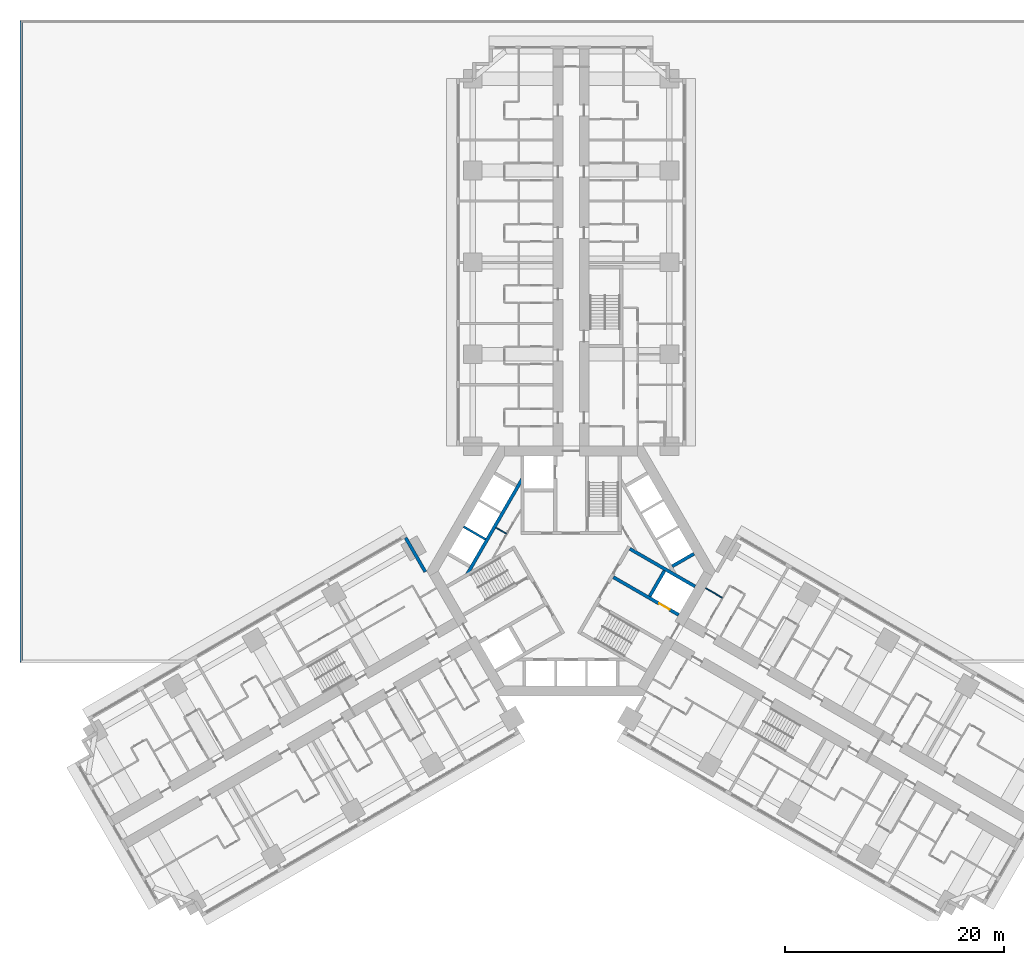
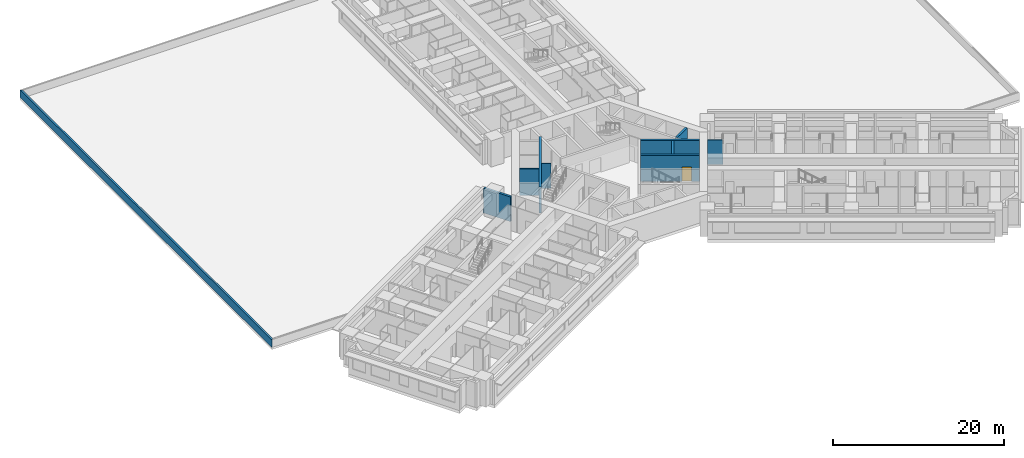
# One storey, part 7 of 18: 10 walls, 1 door, 1 opening.
"""IFC4 building model written with IfcOpenShell, lengths in metres."""

from ifc_helpers import new_model, si_unit, direction, frame, frame_2d, origin, place, context, subcontext, project, spatial, polyline, rectangle, outline, extrude, material, layer, layer_set, type_object, element, fill, save


model = new_model("IFC4")

# Units and contexts
model_context = context("Model", 3, precision=1e-05, world=origin(), true_north=direction((0.0, 1.0)))
body_context = subcontext(model_context, "Body", "Model", "MODEL_VIEW")
ifc_project = project(units=[si_unit("LENGTHUNIT", "METRE"), si_unit("AREAUNIT", "SQUARE_METRE"), si_unit("VOLUMEUNIT", "CUBIC_METRE"), si_unit("PLANEANGLEUNIT", "RADIAN"), si_unit("MASSUNIT", "GRAM", prefix="KILO")], contexts=[model_context])

# Site, building, storey
site_placement = place(None, origin())
site = spatial("IfcSite", under=ifc_project, at=site_placement, CompositionType="ELEMENT")
building_placement = place(site_placement, origin())
building = spatial("IfcBuilding", under=site, at=building_placement, Name="Impinga Residences", CompositionType="ELEMENT")
storey_placement = place(building_placement, frame((0.0, 0.0, 26.0)))
storey = spatial("IfcBuildingStorey", under=building, at=storey_placement, Name="L05", CompositionType="ELEMENT", Elevation=26.0)

# Walls
ifc_material_1 = material(Name="Concrete blockwork", Category="masonry")
ifc_layer_1 = layer(ifc_material_1, 0.10009765625)
ifc_layer_set_1 = layer_set([ifc_layer_1], Name="CP1 core room partition, blockwork 100")
wall_type_1 = type_object("IfcWallType", Name="CP1 core room partition, blockwork 100", PredefinedType="PARTITIONING", material=ifc_layer_set_1)
wall_1_placement = place(storey_placement, frame((-5.916259765625, 3.415771484375, 0.0), z_axis=(0.0, 0.0, 1.0), x_axis=(-0.866008176907, 0.50002983664, 0.0)))
element("IfcWall", 1, at=wall_1_placement, inside=storey, type_object=wall_type_1, Name="Core room partition, blockwork L05:CORE:high:FS", PredefinedType="PARTITIONING", context=body_context, shape_type="SweptSolid", body=[
    extrude(rectangle(XDim=1.10009765625, YDim=0.10009765625, at=frame_2d((0.550048828125, 0.0))), origin(), (0.0, 0.0, 1.0), 3.530029296875),
])
ifc_material_2 = material(Name="Terracotta rainscreen on blockwork", Category="masonry")
ifc_layer_2 = layer(ifc_material_2, 0.300048828125)
ifc_layer_set_2 = layer_set([ifc_layer_2], Name="EW1 external wall, terracotta rainscreen on blockwork 300")
wall_type_2 = type_object("IfcWallType", Name="EW1 external wall, terracotta rainscreen on blockwork 300", PredefinedType="SOLIDWALL", material=ifc_layer_set_2)
wall_2_placement = place(storey_placement, frame((-15.1298828125, 3.042724609375, 0.0), z_axis=(0.0, 0.0, 1.0), x_axis=(0.500012057535, -0.866018442252, 0.0)))
element("IfcWall", 2, at=wall_2_placement, inside=storey, type_object=wall_type_2, Name="External wall EW1 L05", PredefinedType="SOLIDWALL", context=body_context, shape_type="SweptSolid", body=[
    extrude(rectangle(XDim=3.60009765625, YDim=0.300048828125, at=frame_2d((1.800048828125, 0.0))), origin(), (0.0, 0.0, 1.0), 3.530029296875),
])
ifc_material_3 = material(Name="Gypsum board on steel studs", Category="steel")
ifc_layer_3 = layer(ifc_material_3, 0.10009765625)
ifc_layer_set_3 = layer_set([ifc_layer_3], Name="Gypsum board on steel studs")
wall_type_3 = type_object("IfcWallType", Name="IP1 partition 100", PredefinedType="PARTITIONING", material=ifc_layer_set_3)
wall_3_placement = place(storey_placement, frame((12.300048828125, -1.558837890625, 0.0), z_axis=(0.0, 0.0, 1.0), x_axis=(0.866047807691, -0.499961193289, 0.0)))
element("IfcWall", 3, at=wall_3_placement, inside=storey, type_object=wall_type_3, Name="Partition L05-EA1:DIV0", PredefinedType="PARTITIONING", context=body_context, shape_type="SweptSolid", body=[
    extrude(rectangle(XDim=1.800048828125, YDim=0.10009765625, at=frame_2d((0.89990234375, 0.0))), origin(), (0.0, 0.0, 1.0), 3.530029296875),
])
ifc_material_4 = material(Name="Concrete C60/75", Category="concrete")
ifc_layer_4 = layer(ifc_material_4, 0.25)
ifc_layer_set_4 = layer_set([ifc_layer_4], Name="Concrete C60/75")
wall_type_4 = type_object("IfcWallType", Name="PA1 roof parapet 250", PredefinedType="PARAPET", material=ifc_layer_set_4)
wall_4_placement = place(storey_placement, origin())
element("IfcWall", 4, at=wall_4_placement, inside=storey, type_object=wall_type_4, Name="Parapet PA1 L05", PredefinedType="PARAPET", context=body_context, shape_type="SweptSolid", body=[
    extrude(outline(polyline([(-50.39990234375, -8.39990234375), (-50.39990234375, 50.39990234375), (-50.14990234375, 50.14990234375), (-50.14990234375, -8.14990234375), (-50.39990234375, -8.39990234375)])), origin(), (0.0, 0.0, 1.0), 1.10009765625),
])

# Wall, opening, door
ifc_material_5 = material(Name="Concrete C70/85", Category="concrete")
ifc_layer_5 = layer(ifc_material_5, 0.300048828125)
ifc_layer_set_5 = layer_set([ifc_layer_5], Name="Concrete C70/85")
wall_type_5 = type_object("IfcWallType", Name="SW5 core inner wall, stairs, shafts and lobbies 300", PredefinedType="SHEAR", material=ifc_layer_set_5)
wall_5_placement = place(storey_placement, frame((3.86865234375, -0.559326171875, 0.0), z_axis=(0.0, 0.0, 1.0), x_axis=(0.86602711848, -0.499997030048, 0.0)))
wall_5 = element("IfcWall", 5, at=wall_5_placement, inside=storey, type_object=wall_type_5, Name="Core wall SW5 E:FF-IN L05", PredefinedType="SHEAR", context=body_context, shape_type="SweptSolid", body=[
    extrude(rectangle(XDim=6.9013671875, YDim=0.300048828125, at=frame_2d((3.45068359375, 0.0))), origin(), (0.0, 0.0, 1.0), 3.75),
])
opening_placement = place(wall_5_placement, frame((4.85009765625, 0.0, 0.0)))
opening = element("IfcOpeningElement", 6, at=opening_placement, cuts=wall_5, Name="Opening LD2", PredefinedType="OPENING", context=body_context, shape_type="SweptSolid", body=[
    extrude(rectangle(XDim=1.10009765625, YDim=2.10009765625, at=frame_2d((0.550048828125, 1.050048828125))), frame((0.0, 0.159912109375, 0.0), z_axis=(0.0, -1.0, 0.0), x_axis=(1.0, 0.0, 0.0)), (0.0, 0.0, 1.0), 0.320068359375),
])
ifc_material_6 = material(Name="Steel lift landing door", Category="steel")
door_type = type_object("IfcDoorType", Name="LD2 firefighting lift landing door 1100x2100", OperationType="DOUBLE_DOOR_SLIDING", PredefinedType="DOOR", material=ifc_material_6)
door_placement = place(opening_placement, origin())
door = element("IfcDoor", 7, at=door_placement, inside=storey, type_object=door_type, Name="Firefighting lift landing door F3", OperationType="DOUBLE_DOOR_SLIDING", OverallHeight=2.10009765625, OverallWidth=1.10009765625, PredefinedType="DOOR", context=body_context, shape_type="SweptSolid", body=[
    extrude(rectangle(XDim=1.10009765625, YDim=2.10009765625, at=frame_2d((0.550048828125, 1.050048828125))), frame((0.0, 0.02490234375, 0.0), z_axis=(0.0, -1.0, 0.0), x_axis=(1.0, 0.0, 0.0)), (0.0, 0.0, 1.0), 0.050048828125),
])
fill(opening, door)

# Walls
wall_6_placement = place(storey_placement, frame((5.36865234375, 2.038818359375, 0.0), z_axis=(0.0, 0.0, 1.0), x_axis=(0.86602711848, -0.499997030048, 0.0)))
element("IfcWall", 8, at=wall_6_placement, inside=storey, type_object=wall_type_5, Name="Core wall SW5 E:FF-OUT L05", PredefinedType="SHEAR", context=body_context, shape_type="SweptSolid", body=[
    extrude(rectangle(XDim=6.9013671875, YDim=0.300048828125, at=frame_2d((3.45068359375, 0.0))), origin(), (0.0, 0.0, 1.0), 3.75),
])
wall_7_placement = place(storey_placement, frame((8.541259765625, 0.033935546875, 0.0), z_axis=(0.0, 0.0, 1.0), x_axis=(-0.50000943426, -0.866019956843, 0.0)))
element("IfcWall", 9, at=wall_7_placement, inside=storey, type_object=wall_type_5, Name="Core wall SW5 E:FF-RS L05", PredefinedType="SHEAR", context=body_context, shape_type="SweptSolid", body=[
    extrude(rectangle(XDim=2.7001953125, YDim=0.300048828125, at=frame_2d((1.35009765625, 0.0))), origin(), (0.0, 0.0, 1.0), 3.75),
])
wall_8_placement = place(storey_placement, frame((9.253662109375, 0.43505859375, 0.0), z_axis=(0.0, 0.0, 1.0), x_axis=(0.866007057882, 0.500031774688, 0.0)))
element("IfcWall", 10, at=wall_8_placement, inside=storey, type_object=wall_type_5, Name="Core wall SW5 W:BANK-R L05", PredefinedType="SHEAR", context=body_context, shape_type="SweptSolid", body=[
    extrude(rectangle(XDim=2.300048828125, YDim=0.300048828125, at=frame_2d((1.14990234375, 0.0))), origin(), (0.0, 0.0, 1.0), 3.75),
])
wall_9_placement = place(storey_placement, frame((-9.547607421875, -0.3740234375, 0.0), z_axis=(0.0, 0.0, 1.0), x_axis=(0.500002290144, 0.866024081565, 0.0)))
element("IfcWall", 11, at=wall_9_placement, inside=storey, type_object=wall_type_5, Name="Core wall SW5 E:BANK-FRONT L05", PredefinedType="SHEAR", context=body_context, shape_type="SweptSolid", body=[
    extrude(rectangle(XDim=10.1953125, YDim=0.300048828125, at=frame_2d((5.09765625, 0.0))), origin(), (0.0, 0.0, 1.0), 3.75),
])
ifc_layer_6 = layer(ifc_material_5, 0.199951171875)
ifc_layer_set_6 = layer_set([ifc_layer_6], Name="Concrete C70/85")
wall_type_6 = type_object("IfcWallType", Name="SW6 lift shaft divider wall 200", PredefinedType="SHEAR", material=ifc_layer_set_6)
wall_10_placement = place(storey_placement, frame((-7.82861328125, 2.9033203125, 0.0), z_axis=(0.0, 0.0, 1.0), x_axis=(-0.866053019151, 0.499952165731, 0.0)))
element("IfcWall", 12, at=wall_10_placement, inside=storey, type_object=wall_type_6, Name="Core wall SW6 E:BANK-D1 L05", PredefinedType="SHEAR", context=body_context, shape_type="SweptSolid", body=[
    extrude(rectangle(XDim=2.300048828125, YDim=0.199951171875, at=frame_2d((1.14990234375, 0.0))), origin(), (0.0, 0.0, 1.0), 3.75),
])

save(model, "model.ifc")
